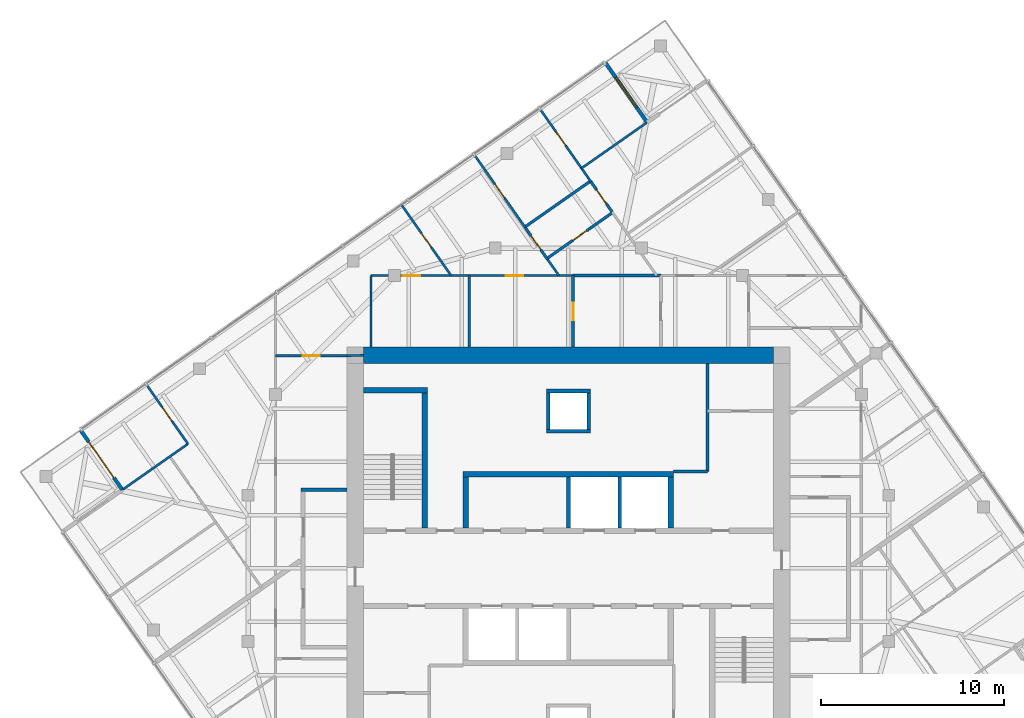
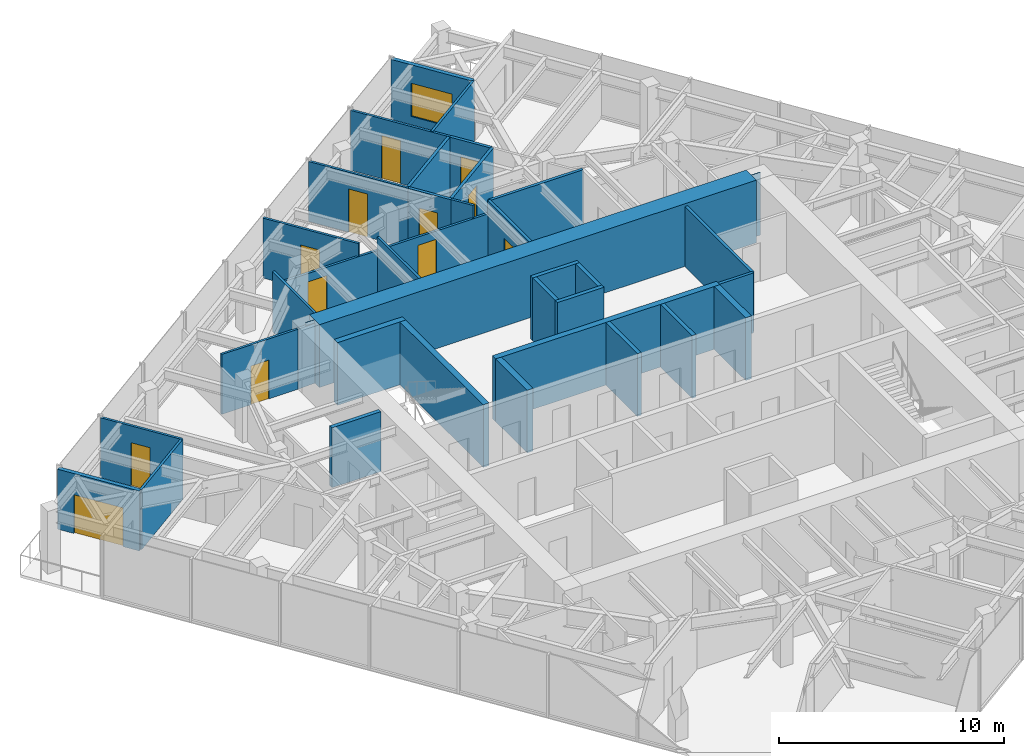
# One storey, part 10 of 12: 35 walls, 12 doors, 1 window, 13 openings.
"""IFC4 building model written with IfcOpenShell, lengths in metres."""

from ifc_helpers import new_model, si_unit, direction, frame, frame_2d, origin, place, context, subcontext, project, spatial, polyline, rectangle, outline, extrude, material, layer, layer_set, type_object, element, fill, save


model = new_model("IFC4")

# Units and contexts
model_context = context("Model", 3, precision=1e-05, world=origin(), true_north=direction((0.0, 1.0)))
body_context = subcontext(model_context, "Body", "Model", "MODEL_VIEW")
ifc_project = project(units=[si_unit("LENGTHUNIT", "METRE"), si_unit("AREAUNIT", "SQUARE_METRE"), si_unit("VOLUMEUNIT", "CUBIC_METRE"), si_unit("PLANEANGLEUNIT", "RADIAN"), si_unit("MASSUNIT", "GRAM", prefix="KILO")], contexts=[model_context])

# Site, building, storey
site_placement = place(None, origin())
site = spatial("IfcSite", under=ifc_project, at=site_placement, CompositionType="ELEMENT")
building_placement = place(site_placement, origin())
building = spatial("IfcBuilding", under=site, at=building_placement, Name="Torsade Residences", CompositionType="ELEMENT")
storey_placement = place(building_placement, frame((0.0, 0.0, 250.60009765625)))
storey = spatial("IfcBuildingStorey", under=building, at=storey_placement, Name="L69", CompositionType="ELEMENT", Elevation=250.60009765625)

# Walls
ifc_material_1 = material(Name="Concrete 80 MPa", Category="concrete")
ifc_layer_1 = layer(ifc_material_1, 0.300048828125)
ifc_layer_set_1 = layer_set([ifc_layer_1], Name="Concrete 80 MPa")
wall_type_1 = type_object("IfcWallType", Name="CORE INTERNAL WALL 300", PredefinedType="SHEAR", material=ifc_layer_set_1)
wall_1_placement = place(storey_placement, frame((34.25, 35.14990234375, 0.0), z_axis=(0.0, 0.0, 1.0), x_axis=(1.0, 0.0, 0.0)))
element("IfcWall", 1, at=wall_1_placement, inside=storey, type_object=wall_type_1, Name="Core wall BN L69", PredefinedType="SHEAR", context=body_context, shape_type="SweptSolid", body=[
    extrude(rectangle(XDim=11.5, YDim=0.300048828125, at=frame_2d((5.75, 0.0))), origin(), (0.0, 0.0, 1.0), 3.39990234375),
])
for number, where, z_axis, x_axis, name in (
    (2, (34.39990234375, 32.199951171875, 0.0), (0.0, 0.0, 1.0), (0.0, 1.0, 0.0), "Core wall DN0 L69"),
    (3, (45.60009765625, 32.199951171875, 0.0), (0.0, 0.0, 1.0), (0.0, 1.0, 0.0), "Core wall DN4 L69"),
):
    element("IfcWall", number, at=place(storey_placement, frame(where, z_axis=z_axis, x_axis=x_axis)), inside=storey, type_object=wall_type_1, Name=name, PredefinedType="SHEAR", context=body_context, shape_type="SweptSolid", body=[
        extrude(rectangle(XDim=2.800048828125, YDim=0.300048828125, at=frame_2d((1.39990234375, 0.0))), origin(), (0.0, 0.0, 1.0), 3.39990234375),
    ])
wall_2_placement = place(storey_placement, frame((32.14990234375, 32.199951171875, 0.0), z_axis=(0.0, 0.0, 1.0), x_axis=(0.0, 1.0, 0.0)))
element("IfcWall", 4, at=wall_2_placement, inside=storey, type_object=wall_type_1, Name="Core wall ST1E L69", PredefinedType="SHEAR", context=body_context, shape_type="SweptSolid", body=[
    extrude(rectangle(XDim=7.699951171875, YDim=0.300048828125, at=frame_2d((3.85009765625, 0.0))), origin(), (0.0, 0.0, 1.0), 3.39990234375),
])
wall_3_placement = place(storey_placement, frame((28.800048828125, 39.75, 0.0), z_axis=(0.0, 0.0, 1.0), x_axis=(1.0, 0.0, 0.0)))
element("IfcWall", 5, at=wall_3_placement, inside=storey, type_object=wall_type_1, Name="Core wall ST1N L69", PredefinedType="SHEAR", context=body_context, shape_type="SweptSolid", body=[
    extrude(rectangle(XDim=3.5, YDim=0.300048828125, at=frame_2d((1.75, 0.0))), origin(), (0.0, 0.0, 1.0), 3.39990234375),
])
ifc_material_2 = material(Name="Concrete 80 MPa", Category="concrete")
ifc_layer_2 = layer(ifc_material_2, 0.89990234375)
ifc_layer_set_2 = layer_set([ifc_layer_2], Name="Concrete 80 MPa")
wall_type_2 = type_object("IfcWallType", Name="CORE WALL 900", PredefinedType="SHEAR", material=ifc_layer_set_2)
wall_4_placement = place(storey_placement, frame((28.800048828125, 41.64990234375, 0.0), z_axis=(0.0, 0.0, 1.0), x_axis=(1.0, 0.0, 0.0)))
element("IfcWall", 6, at=wall_4_placement, inside=storey, type_object=wall_type_2, Name="Core wall N L69", PredefinedType="SHEAR", context=body_context, shape_type="SweptSolid", body=[
    extrude(outline(polyline([(0.0, -0.449951171875), (22.39990234375, -0.449951171875), (22.39990234375, -0.02490234375), (22.849853515625, -0.02490234375), (22.849853515625, 0.02490234375), (22.39990234375, 0.02490234375), (22.39990234375, 0.449951171875), (0.0, 0.449951171875), (0.0, 0.02490234375), (-0.449951171875, 0.02490234375), (-0.449951171875, -0.02490234375), (0.0, -0.02490234375), (0.0, -0.449951171875)])), origin(), (0.0, 0.0, 1.0), 3.39990234375),
])
ifc_material_3 = material(Name="Plasterboard on steel stud", Category="steel")
ifc_layer_3 = layer(ifc_material_3, 0.199951171875)
ifc_layer_set_3 = layer_set([ifc_layer_3], Name="Plasterboard on steel stud")
wall_type_3 = type_object("IfcWallType", Name="CORRIDOR WALL 200", PredefinedType="PARTITIONING", material=ifc_layer_set_3)
wall_5_placement = place(storey_placement, frame((27.89990234375, 34.300048828125, 0.0), z_axis=(0.0, 0.0, 1.0), x_axis=(-1.0, 0.0, 0.0)))
element("IfcWall", 7, at=wall_5_placement, inside=storey, type_object=wall_type_3, Name="Corridor wall L69", PredefinedType="PARTITIONING", context=body_context, shape_type="SweptSolid", body=[
    extrude(rectangle(XDim=2.5, YDim=0.199951171875, at=frame_2d((1.25, 0.0))), origin(), (0.0, 0.0, 1.0), 3.25),
])
ifc_material_4 = material(Name="Reinforced blockwork", Category="masonry")
ifc_layer_4 = layer(ifc_material_4, 0.199951171875)
ifc_layer_set_4 = layer_set([ifc_layer_4], Name="Reinforced blockwork")
wall_type_4 = type_object("IfcWallType", Name="LIFT SHAFT DIVIDING WALL 200", PredefinedType="SOLIDWALL", material=ifc_layer_set_4)
for number, where, z_axis, x_axis, name in (
    (8, (40.0, 32.199951171875, 0.0), (0.0, 0.0, 1.0), (0.0, 1.0, 0.0), "Core wall DN2 L69"),
    (9, (42.800048828125, 32.199951171875, 0.0), (0.0, 0.0, 1.0), (0.0, 1.0, 0.0), "Core wall DN3 L69"),
):
    element("IfcWall", number, at=place(storey_placement, frame(where, z_axis=z_axis, x_axis=x_axis)), inside=storey, type_object=wall_type_4, Name=name, PredefinedType="SOLIDWALL", context=body_context, shape_type="SweptSolid", body=[
        extrude(rectangle(XDim=2.800048828125, YDim=0.199951171875, at=frame_2d((1.39990234375, 0.0))), origin(), (0.0, 0.0, 1.0), 3.39990234375),
    ])

# Wall, opening, door
ifc_material_5 = material(Name="Plasterboard on steel stud", Category="steel")
ifc_layer_5 = layer(ifc_material_5, 0.1201171875)
ifc_layer_set_5 = layer_set([ifc_layer_5], Name="Plasterboard on steel stud")
wall_type_5 = type_object("IfcWallType", Name="PARTITION 120", PredefinedType="PARTITIONING", material=ifc_layer_set_5)
wall_6_placement = place(storey_placement, frame((24.0, 41.61865234375, 0.0), z_axis=(0.0, 0.0, 1.0), x_axis=(1.0, 0.0, 0.0)))
wall_6 = element("IfcWall", 10, at=wall_6_placement, inside=storey, type_object=wall_type_5, Name="Partition L69", PredefinedType="PARTITIONING", context=body_context, shape_type="SweptSolid", body=[
    extrude(rectangle(XDim=3.89990234375, YDim=0.1201171875, at=frame_2d((1.949951171875, 0.0))), origin(), (0.0, 0.0, 1.0), 3.25),
])
opening_1_placement = place(wall_6_placement, frame((1.489990234375, 0.0, 0.0)))
opening_1 = element("IfcOpeningElement", 11, at=opening_1_placement, cuts=wall_6, Name="Opening D02L", PredefinedType="OPENING", context=body_context, shape_type="SweptSolid", body=[
    extrude(rectangle(XDim=0.919921875, YDim=2.10009765625, at=frame_2d((0.4599609375, 1.050048828125))), frame((0.0, 0.070068359375, 0.0), z_axis=(0.0, -1.0, 0.0), x_axis=(1.0, 0.0, 0.0)), (0.0, 0.0, 1.0), 0.14013671875),
])
ifc_material_6 = material(Name="Hollow-core timber door", Category="wood")
door_type_1 = type_object("IfcDoorType", Name="INTERNAL DOOR 920x2100", OperationType="NOTDEFINED", PredefinedType="DOOR", material=ifc_material_6)
door_1_placement = place(opening_1_placement, origin())
door_1 = element("IfcDoor", 12, at=door_1_placement, inside=storey, type_object=door_type_1, Name="Door Kitchen and dining to Dining room", OperationType="SINGLE_SWING_LEFT", OverallHeight=2.10009765625, OverallWidth=0.919921875, PredefinedType="DOOR", context=body_context, shape_type="SweptSolid", body=[
    extrude(rectangle(XDim=0.919921875, YDim=2.10009765625, at=frame_2d((0.4599609375, 1.050048828125))), frame((0.0, 0.02490234375, 0.0), z_axis=(0.0, -1.0, 0.0), x_axis=(1.0, 0.0, 0.0)), (0.0, 0.0, 1.0), 0.050048828125),
])
fill(opening_1, door_1)

# Wall
wall_7_placement = place(storey_placement, frame((34.583251953125, 46.0, 0.0), z_axis=(0.0, 0.0, 1.0), x_axis=(0.0, -1.0, 0.0)))
element("IfcWall", 13, at=wall_7_placement, inside=storey, type_object=wall_type_5, Name="Partition L69", PredefinedType="PARTITIONING", context=body_context, shape_type="SweptSolid", body=[
    extrude(rectangle(XDim=3.89990234375, YDim=0.1201171875, at=frame_2d((1.949951171875, 0.0))), origin(), (0.0, 0.0, 1.0), 3.25),
])

# Wall, openings, doors
wall_8_placement = place(storey_placement, frame((29.218505859375, 46.0, 0.0), z_axis=(0.0, 0.0, 1.0), x_axis=(1.0, 0.0, 0.0)))
wall_8 = element("IfcWall", 14, at=wall_8_placement, inside=storey, type_object=wall_type_5, Name="Partition L69", PredefinedType="PARTITIONING", context=body_context, shape_type="SweptSolid", body=[
    extrude(rectangle(XDim=11.0341796875, YDim=0.1201171875, at=frame_2d((5.51708984375, 0.0))), origin(), (0.0, 0.0, 1.0), 2.5498046875),
])
opening_2_placement = place(wall_8_placement, frame((1.7353515625, 0.0, 0.0)))
opening_2 = element("IfcOpeningElement", 15, at=opening_2_placement, cuts=wall_8, Name="Opening D05", PredefinedType="OPENING", context=body_context, shape_type="SweptSolid", body=[
    extrude(rectangle(XDim=0.9599609375, YDim=2.10009765625, at=frame_2d((0.47998046875, 1.050048828125))), frame((0.0, 0.070068359375, 0.0), z_axis=(0.0, -1.0, 0.0), x_axis=(1.0, 0.0, 0.0)), (0.0, 0.0, 1.0), 0.14013671875),
])
opening_3_placement = place(wall_8_placement, frame((7.363037109375, 0.0, 0.0)))
opening_3 = element("IfcOpeningElement", 16, at=opening_3_placement, cuts=wall_8, Name="Opening D05", PredefinedType="OPENING", context=body_context, shape_type="SweptSolid", body=[
    extrude(rectangle(XDim=0.9599609375, YDim=2.10009765625, at=frame_2d((0.47998046875, 1.050048828125))), frame((0.0, 0.070068359375, 0.0), z_axis=(0.0, -1.0, 0.0), x_axis=(1.0, 0.0, 0.0)), (0.0, 0.0, 1.0), 0.14013671875),
])
ifc_material_7 = material(Name="Hollow-core timber door in a steel cavity frame", Category="steel")
door_type_2 = type_object("IfcDoorType", Name="BATHROOM CAVITY SLIDING DOOR 960", OperationType="SLIDING_TO_LEFT", PredefinedType="DOOR", material=ifc_material_7)
door_2_placement = place(opening_2_placement, origin())
door_2 = element("IfcDoor", 17, at=door_2_placement, inside=storey, type_object=door_type_2, Name="Door Dining room to Bathroom", OperationType="SLIDING_TO_LEFT", OverallHeight=2.10009765625, OverallWidth=0.9599609375, PredefinedType="DOOR", context=body_context, shape_type="SweptSolid", body=[
    extrude(rectangle(XDim=0.9599609375, YDim=2.10009765625, at=frame_2d((0.47998046875, 1.050048828125))), frame((0.0, 0.02490234375, 0.0), z_axis=(0.0, -1.0, 0.0), x_axis=(1.0, 0.0, 0.0)), (0.0, 0.0, 1.0), 0.050048828125),
])
fill(opening_2, door_2)
door_3_placement = place(opening_3_placement, origin())
door_3 = element("IfcDoor", 18, at=door_3_placement, inside=storey, type_object=door_type_2, Name="Door Study 2 to Ensuite", OperationType="SLIDING_TO_LEFT", OverallHeight=2.10009765625, OverallWidth=0.9599609375, PredefinedType="DOOR", context=body_context, shape_type="SweptSolid", body=[
    extrude(rectangle(XDim=0.9599609375, YDim=2.10009765625, at=frame_2d((0.47998046875, 1.050048828125))), frame((0.0, 0.02490234375, 0.0), z_axis=(0.0, -1.0, 0.0), x_axis=(1.0, 0.0, 0.0)), (0.0, 0.0, 1.0), 0.050048828125),
])
fill(opening_3, door_3)

# Walls
wall_9_placement = place(storey_placement, frame((29.218505859375, 42.10009765625, 0.0), z_axis=(0.0, 0.0, 1.0), x_axis=(0.0, 1.0, 0.0)))
element("IfcWall", 19, at=wall_9_placement, inside=storey, type_object=wall_type_5, Name="Partition L69", PredefinedType="PARTITIONING", context=body_context, shape_type="SweptSolid", body=[
    extrude(rectangle(XDim=3.89990234375, YDim=0.1201171875, at=frame_2d((1.949951171875, 0.0))), origin(), (0.0, 0.0, 1.0), 3.25),
])
wall_10_placement = place(storey_placement, frame((15.659912109375, 34.320556640625, 0.0), z_axis=(0.0, 0.0, 1.0), x_axis=(0.819139307094, 0.573594626521, 0.0)))
element("IfcWall", 20, at=wall_10_placement, inside=storey, type_object=wall_type_5, Name="Partition L69", PredefinedType="PARTITIONING", context=body_context, shape_type="SweptSolid", body=[
    extrude(rectangle(XDim=4.3349609375, YDim=0.1201171875, at=frame_2d((2.16748046875, 0.0))), origin(), (0.0, 0.0, 1.0), 3.25),
])

# Wall, opening, door
wall_11_placement = place(storey_placement, frame((19.2109375, 36.80712890625, 0.0), z_axis=(0.0, 0.0, 1.0), x_axis=(-0.573578200724, 0.819150808859, 0.0)))
wall_11 = element("IfcWall", 21, at=wall_11_placement, inside=storey, type_object=wall_type_5, Name="Partition L69", PredefinedType="PARTITIONING", context=body_context, shape_type="SweptSolid", body=[
    extrude(rectangle(XDim=3.959716796875, YDim=0.1201171875, at=frame_2d((1.97998046875, 0.0))), origin(), (0.0, 0.0, 1.0), 3.25),
])
opening_4_placement = place(wall_11_placement, frame((1.5400390625, 0.0, 0.0)))
opening_4 = element("IfcOpeningElement", 22, at=opening_4_placement, cuts=wall_11, Name="Opening D02", PredefinedType="OPENING", context=body_context, shape_type="SweptSolid", body=[
    extrude(rectangle(XDim=0.919921875, YDim=2.340087890625, at=frame_2d((0.4599609375, 1.169921875))), frame((0.0, 0.070068359375, 0.0), z_axis=(0.0, -1.0, 0.0), x_axis=(1.0, 0.0, 0.0)), (0.0, 0.0, 1.0), 0.14013671875),
])
ifc_material_8 = material(Name="Hollow-core timber door", Category="wood")
door_type_3 = type_object("IfcDoorType", Name="INTERNAL DOOR 920x2340", OperationType="NOTDEFINED", PredefinedType="DOOR", material=ifc_material_8)
door_4_placement = place(opening_4_placement, origin())
door_4 = element("IfcDoor", 23, at=door_4_placement, inside=storey, type_object=door_type_3, Name="Door Living room to Family room 2", OperationType="SINGLE_SWING_LEFT", OverallHeight=2.340087890625, OverallWidth=0.919921875, PredefinedType="DOOR", context=body_context, shape_type="SweptSolid", body=[
    extrude(rectangle(XDim=0.919921875, YDim=2.340087890625, at=frame_2d((0.4599609375, 1.169921875))), frame((0.0, 0.02490234375, 0.0), z_axis=(0.0, -1.0, 0.0), x_axis=(1.0, 0.0, 0.0)), (0.0, 0.0, 1.0), 0.050048828125),
])
fill(opening_4, door_4)

wall_12_placement = place(storey_placement, frame((41.232177734375, 51.123046875, 0.0), z_axis=(0.0, 0.0, 1.0), x_axis=(-0.573586984922, 0.819144657999, 0.0)))
wall_12 = element("IfcWall", 24, at=wall_12_placement, inside=storey, type_object=wall_type_5, Name="Partition L69", PredefinedType="PARTITIONING", context=body_context, shape_type="SweptSolid", body=[
    extrude(rectangle(XDim=4.86376953125, YDim=0.1201171875, at=frame_2d((2.431884765625, 0.0))), origin(), (0.0, 0.0, 1.0), 3.25),
])
opening_5_placement = place(wall_12_placement, frame((2.418701171875, 0.0, 0.0)))
opening_5 = element("IfcOpeningElement", 25, at=opening_5_placement, cuts=wall_12, Name="Opening D02", PredefinedType="OPENING", context=body_context, shape_type="SweptSolid", body=[
    extrude(rectangle(XDim=0.919921875, YDim=2.340087890625, at=frame_2d((0.4599609375, 1.169921875))), frame((0.0, 0.070068359375, 0.0), z_axis=(0.0, -1.0, 0.0), x_axis=(1.0, 0.0, 0.0)), (0.0, 0.0, 1.0), 0.14013671875),
])
door_5_placement = place(opening_5_placement, origin())
door_5 = element("IfcDoor", 26, at=door_5_placement, inside=storey, type_object=door_type_3, Name="Door Family room to Study 3", OperationType="SINGLE_SWING_LEFT", OverallHeight=2.340087890625, OverallWidth=0.919921875, PredefinedType="DOOR", context=body_context, shape_type="SweptSolid", body=[
    extrude(rectangle(XDim=0.919921875, YDim=2.340087890625, at=frame_2d((0.4599609375, 1.169921875))), frame((0.0, 0.02490234375, 0.0), z_axis=(0.0, -1.0, 0.0), x_axis=(1.0, 0.0, 0.0)), (0.0, 0.0, 1.0), 0.050048828125),
])
fill(opening_5, door_5)

# Wall
wall_13_placement = place(storey_placement, frame((40.7138671875, 51.86328125, 0.0), z_axis=(0.0, 0.0, 1.0), x_axis=(0.819139307094, 0.573594626521, 0.0)))
element("IfcWall", 27, at=wall_13_placement, inside=storey, type_object=wall_type_5, Name="Partition L69", PredefinedType="PARTITIONING", context=body_context, shape_type="SweptSolid", body=[
    extrude(rectangle(XDim=4.3349609375, YDim=0.1201171875, at=frame_2d((2.16748046875, 0.0))), origin(), (0.0, 0.0, 1.0), 3.25),
])

# Wall, opening, door
wall_14_placement = place(storey_placement, frame((34.858642578125, 52.597900390625, 0.0), z_axis=(0.0, 0.0, 1.0), x_axis=(0.573586984922, -0.819144657999, 0.0)))
wall_14 = element("IfcWall", 28, at=wall_14_placement, inside=storey, type_object=wall_type_5, Name="Partition L69", PredefinedType="PARTITIONING", context=body_context, shape_type="SweptSolid", body=[
    extrude(rectangle(XDim=4.86376953125, YDim=0.1201171875, at=frame_2d((2.431884765625, 0.0))), origin(), (0.0, 0.0, 1.0), 3.25),
])
opening_6_placement = place(wall_14_placement, frame((1.951904296875, 0.0, 0.0)))
opening_6 = element("IfcOpeningElement", 29, at=opening_6_placement, cuts=wall_14, Name="Opening D02", PredefinedType="OPENING", context=body_context, shape_type="SweptSolid", body=[
    extrude(rectangle(XDim=0.919921875, YDim=2.340087890625, at=frame_2d((0.4599609375, 1.169921875))), frame((0.0, 0.070068359375, 0.0), z_axis=(0.0, -1.0, 0.0), x_axis=(1.0, 0.0, 0.0)), (0.0, 0.0, 1.0), 0.14013671875),
])
door_6_placement = place(opening_6_placement, origin())
door_6 = element("IfcDoor", 30, at=door_6_placement, inside=storey, type_object=door_type_3, Name="Door Study 2 to Family room", OperationType="SINGLE_SWING_RIGHT", OverallHeight=2.340087890625, OverallWidth=0.919921875, PredefinedType="DOOR", context=body_context, shape_type="SweptSolid", body=[
    extrude(rectangle(XDim=0.919921875, YDim=2.340087890625, at=frame_2d((0.4599609375, 1.169921875))), frame((0.0, 0.02490234375, 0.0), z_axis=(0.0, -1.0, 0.0), x_axis=(1.0, 0.0, 0.0)), (0.0, 0.0, 1.0), 0.050048828125),
])
fill(opening_6, door_6)

# Wall
wall_15_placement = place(storey_placement, frame((38.853515625, 46.892333984375, 0.0), z_axis=(0.0, 0.0, 1.0), x_axis=(0.57368792347, -0.81907396886, 0.0)))
element("IfcWall", 31, at=wall_15_placement, inside=storey, type_object=wall_type_5, Name="Partition L69", PredefinedType="PARTITIONING", context=body_context, shape_type="SweptSolid", body=[
    extrude(rectangle(XDim=1.08935546875, YDim=0.1201171875, at=frame_2d((0.544677734375, 0.0))), origin(), (0.0, 0.0, 1.0), 3.25),
])

# Wall, opening, door
wall_16_placement = place(storey_placement, frame((33.588134765625, 46.0, 0.0), z_axis=(0.0, 0.0, 1.0), x_axis=(-0.57355695423, 0.819165685472, 0.0)))
wall_16 = element("IfcWall", 32, at=wall_16_placement, inside=storey, type_object=wall_type_5, Name="Partition L69", PredefinedType="PARTITIONING", context=body_context, shape_type="SweptSolid", body=[
    extrude(rectangle(XDim=4.67578125, YDim=0.1201171875, at=frame_2d((2.337890625, 0.0))), origin(), (0.0, 0.0, 1.0), 3.25),
])
opening_7_placement = place(wall_16_placement, frame((1.89794921875, 0.0, 0.0)))
opening_7 = element("IfcOpeningElement", 33, at=opening_7_placement, cuts=wall_16, Name="Opening D02", PredefinedType="OPENING", context=body_context, shape_type="SweptSolid", body=[
    extrude(rectangle(XDim=0.919921875, YDim=2.340087890625, at=frame_2d((0.4599609375, 1.169921875))), frame((0.0, 0.070068359375, 0.0), z_axis=(0.0, -1.0, 0.0), x_axis=(1.0, 0.0, 0.0)), (0.0, 0.0, 1.0), 0.14013671875),
])
door_7_placement = place(opening_7_placement, origin())
door_7 = element("IfcDoor", 34, at=door_7_placement, inside=storey, type_object=door_type_3, Name="Door Dining room to Study 2", OperationType="SINGLE_SWING_LEFT", OverallHeight=2.340087890625, OverallWidth=0.919921875, PredefinedType="DOOR", context=body_context, shape_type="SweptSolid", body=[
    extrude(rectangle(XDim=0.919921875, YDim=2.340087890625, at=frame_2d((0.4599609375, 1.169921875))), frame((0.0, 0.02490234375, 0.0), z_axis=(0.0, -1.0, 0.0), x_axis=(1.0, 0.0, 0.0)), (0.0, 0.0, 1.0), 0.050048828125),
])
fill(opening_7, door_7)

# Walls
wall_17_placement = place(storey_placement, frame((27.89990234375, 41.61865234375, 0.0), z_axis=(0.0, 0.0, 1.0), x_axis=(0.999397924003, 0.034695669724, 0.0)))
element("IfcWall", 35, at=wall_17_placement, inside=storey, type_object=wall_type_5, Name="Partition L69", PredefinedType="PARTITIONING", context=body_context, shape_type="SweptSolid", body=[
    extrude(rectangle(XDim=0.900634765625, YDim=0.1201171875, at=frame_2d((0.4501953125, 0.0))), origin(), (0.0, 0.0, 1.0), 3.25),
])
ifc_material_9 = material(Name="Reinforced blockwork", Category="masonry")
ifc_layer_6 = layer(ifc_material_9, 0.199951171875)
ifc_layer_set_6 = layer_set([ifc_layer_6], Name="Reinforced blockwork")
wall_type_6 = type_object("IfcWallType", Name="RISER SHAFT WALL 200", PredefinedType="SOLIDWALL", material=ifc_layer_set_6)
for number, where, z_axis, x_axis, name in (
    (36, (38.89990234375, 37.60009765625, 0.0), (0.0, 0.0, 1.0), (0.0, 1.0, 0.0), "Core wall RS1a L69"),
    (37, (41.10009765625, 37.60009765625, 0.0), (0.0, 0.0, 1.0), (0.0, 1.0, 0.0), "Core wall RS1b L69"),
):
    element("IfcWall", number, at=place(storey_placement, frame(where, z_axis=z_axis, x_axis=x_axis)), inside=storey, type_object=wall_type_6, Name=name, PredefinedType="SOLIDWALL", context=body_context, shape_type="SweptSolid", body=[
        extrude(rectangle(XDim=2.0, YDim=0.199951171875, at=frame_2d((1.0, 0.0))), origin(), (0.0, 0.0, 1.0), 3.39990234375),
    ])
for number, where, z_axis, x_axis, name in (
    (38, (38.800048828125, 37.5, 0.0), (0.0, 0.0, 1.0), (1.0, 0.0, 0.0), "Core wall RS1c L69"),
    (39, (38.800048828125, 39.699951171875, 0.0), (0.0, 0.0, 1.0), (1.0, 0.0, 0.0), "Core wall RS1d L69"),
):
    element("IfcWall", number, at=place(storey_placement, frame(where, z_axis=z_axis, x_axis=x_axis)), inside=storey, type_object=wall_type_6, Name=name, PredefinedType="SOLIDWALL", context=body_context, shape_type="SweptSolid", body=[
        extrude(rectangle(XDim=2.39990234375, YDim=0.199951171875, at=frame_2d((1.199951171875, 0.0))), origin(), (0.0, 0.0, 1.0), 3.39990234375),
    ])
ifc_material_10 = material(Name="Reinforced blockwork", Category="masonry")
ifc_layer_7 = layer(ifc_material_10, 0.14990234375)
ifc_layer_set_7 = layer_set([ifc_layer_7], Name="Reinforced blockwork")
wall_type_7 = type_object("IfcWallType", Name="SERVICE ROOM WALL 150", PredefinedType="SOLIDWALL", material=ifc_layer_set_7)
wall_18_placement = place(storey_placement, frame((47.60009765625, 41.199951171875, 0.0), z_axis=(0.0, 0.0, 1.0), x_axis=(0.0, -1.0, 0.0)))
element("IfcWall", 40, at=wall_18_placement, inside=storey, type_object=wall_type_7, Name="Service room wall L69", PredefinedType="SOLIDWALL", context=body_context, shape_type="SweptSolid", body=[
    extrude(rectangle(XDim=5.89990234375, YDim=0.14990234375, at=frame_2d((2.949951171875, 0.0))), origin(), (0.0, 0.0, 1.0), 3.25),
])
wall_19_placement = place(storey_placement, frame((47.60009765625, 35.300048828125, 0.0), z_axis=(0.0, 0.0, 1.0), x_axis=(-1.0, 0.0, 0.0)))
element("IfcWall", 41, at=wall_19_placement, inside=storey, type_object=wall_type_7, Name="Service room wall L69", PredefinedType="SOLIDWALL", context=body_context, shape_type="SweptSolid", body=[
    extrude(rectangle(XDim=1.85009765625, YDim=0.14990234375, at=frame_2d((0.925048828125, 0.0))), origin(), (0.0, 0.0, 1.0), 3.25),
])

# Wall, opening, door
wall_20_placement = place(storey_placement, frame((40.252685546875, 46.0, 0.0), z_axis=(0.0, 0.0, 1.0), x_axis=(0.0, -1.0, 0.0)))
wall_20 = element("IfcWall", 42, at=wall_20_placement, inside=storey, type_object=wall_type_7, Name="Service room wall L69", PredefinedType="SOLIDWALL", context=body_context, shape_type="SweptSolid", body=[
    extrude(rectangle(XDim=3.89990234375, YDim=0.14990234375, at=frame_2d((1.949951171875, 0.0))), origin(), (0.0, 0.0, 1.0), 3.25),
])
opening_8_placement = place(wall_20_placement, frame((1.469970703125, 0.0, 0.0)))
opening_8 = element("IfcOpeningElement", 43, at=opening_8_placement, cuts=wall_20, Name="Opening D05", PredefinedType="OPENING", context=body_context, shape_type="SweptSolid", body=[
    extrude(rectangle(XDim=0.9599609375, YDim=2.10009765625, at=frame_2d((0.47998046875, 1.050048828125))), frame((0.0, 0.0849609375, 0.0), z_axis=(0.0, -1.0, 0.0), x_axis=(1.0, 0.0, 0.0)), (0.0, 0.0, 1.0), 0.169921875),
])
door_8_placement = place(opening_8_placement, origin())
door_8 = element("IfcDoor", 44, at=door_8_placement, inside=storey, type_object=door_type_2, Name="Door Ensuite to Linen store", OperationType="SLIDING_TO_LEFT", OverallHeight=2.10009765625, OverallWidth=0.9599609375, PredefinedType="DOOR", context=body_context, shape_type="SweptSolid", body=[
    extrude(rectangle(XDim=0.9599609375, YDim=2.10009765625, at=frame_2d((0.47998046875, 1.050048828125))), frame((0.0, 0.02490234375, 0.0), z_axis=(0.0, -1.0, 0.0), x_axis=(1.0, 0.0, 0.0)), (0.0, 0.0, 1.0), 0.050048828125),
])
fill(opening_8, door_8)

# Wall
wall_21_placement = place(storey_placement, frame((40.252685546875, 46.0, 0.0), z_axis=(0.0, 0.0, 1.0), x_axis=(1.0, 0.0, 0.0)))
element("IfcWall", 45, at=wall_21_placement, inside=storey, type_object=wall_type_7, Name="Service room wall L69", PredefinedType="SOLIDWALL", context=body_context, shape_type="SweptSolid", body=[
    extrude(rectangle(XDim=4.798583984375, YDim=0.14990234375, at=frame_2d((2.3994140625, 0.0))), origin(), (0.0, 0.0, 1.0), 3.25),
])

# Wall, opening, door
wall_22_placement = place(storey_placement, frame((42.380126953125, 49.483642578125, 0.0), z_axis=(0.0, 0.0, 1.0), x_axis=(-0.573585144111, 0.819145946981, 0.0)))
wall_22 = element("IfcWall", 46, at=wall_22_placement, inside=storey, type_object=wall_type_7, Name="Service room wall L69", PredefinedType="SOLIDWALL", context=body_context, shape_type="SweptSolid", body=[
    extrude(rectangle(XDim=2.00146484375, YDim=0.14990234375, at=frame_2d((1.000732421875, 0.0))), origin(), (0.0, 0.0, 1.0), 3.25),
])
opening_9_placement = place(wall_22_placement, frame((0.54052734375, 0.0, 0.0)))
opening_9 = element("IfcOpeningElement", 47, at=opening_9_placement, cuts=wall_22, Name="Opening D02", PredefinedType="OPENING", context=body_context, shape_type="SweptSolid", body=[
    extrude(rectangle(XDim=0.919921875, YDim=2.340087890625, at=frame_2d((0.4599609375, 1.169921875))), frame((0.0, 0.0849609375, 0.0), z_axis=(0.0, -1.0, 0.0), x_axis=(1.0, 0.0, 0.0)), (0.0, 0.0, 1.0), 0.169921875),
])
door_9_placement = place(opening_9_placement, origin())
door_9 = element("IfcDoor", 48, at=door_9_placement, inside=storey, type_object=door_type_3, Name="Door Linen store 4 to Bedroom 1", OperationType="SINGLE_SWING_RIGHT", OverallHeight=2.340087890625, OverallWidth=0.919921875, PredefinedType="DOOR", context=body_context, shape_type="SweptSolid", body=[
    extrude(rectangle(XDim=0.919921875, YDim=2.340087890625, at=frame_2d((0.4599609375, 1.169921875))), frame((0.0, 0.02490234375, 0.0), z_axis=(0.0, -1.0, 0.0), x_axis=(1.0, 0.0, 0.0)), (0.0, 0.0, 1.0), 0.050048828125),
])
fill(opening_9, door_9)

wall_23_placement = place(storey_placement, frame((37.6484375, 48.61376953125, 0.0), z_axis=(0.0, 0.0, 1.0), x_axis=(0.573485736943, -0.819215545216, 0.0)))
wall_23 = element("IfcWall", 49, at=wall_23_placement, inside=storey, type_object=wall_type_7, Name="Service room wall L69", PredefinedType="SOLIDWALL", context=body_context, shape_type="SweptSolid", body=[
    extrude(rectangle(XDim=2.101318359375, YDim=0.14990234375, at=frame_2d((1.05078125, 0.0))), origin(), (0.0, 0.0, 1.0), 3.25),
])
opening_10_placement = place(wall_23_placement, frame((0.540771484375, 0.0, 0.0)))
opening_10 = element("IfcOpeningElement", 50, at=opening_10_placement, cuts=wall_23, Name="Opening D02", PredefinedType="OPENING", context=body_context, shape_type="SweptSolid", body=[
    extrude(rectangle(XDim=0.919921875, YDim=2.340087890625, at=frame_2d((0.4599609375, 1.169921875))), frame((0.0, 0.0849609375, 0.0), z_axis=(0.0, -1.0, 0.0), x_axis=(1.0, 0.0, 0.0)), (0.0, 0.0, 1.0), 0.169921875),
])
door_10_placement = place(opening_10_placement, origin())
door_10 = element("IfcDoor", 51, at=door_10_placement, inside=storey, type_object=door_type_3, Name="Door Study 2 to Linen store 4", OperationType="SINGLE_SWING_RIGHT", OverallHeight=2.340087890625, OverallWidth=0.919921875, PredefinedType="DOOR", context=body_context, shape_type="SweptSolid", body=[
    extrude(rectangle(XDim=0.919921875, YDim=2.340087890625, at=frame_2d((0.4599609375, 1.169921875))), frame((0.0, 0.02490234375, 0.0), z_axis=(0.0, -1.0, 0.0), x_axis=(1.0, 0.0, 0.0)), (0.0, 0.0, 1.0), 0.050048828125),
])
fill(opening_10, door_10)

# Wall
wall_24_placement = place(storey_placement, frame((41.203369140625, 51.1640625, 0.0), z_axis=(0.0, 0.0, 1.0), x_axis=(-0.81916112811, -0.573563463091, 0.0)))
element("IfcWall", 52, at=wall_24_placement, inside=storey, type_object=wall_type_7, Name="Service room wall L69", PredefinedType="SOLIDWALL", context=body_context, shape_type="SweptSolid", body=[
    extrude(rectangle(XDim=4.375, YDim=0.14990234375, at=frame_2d((2.1875, 0.0))), origin(), (0.0, 0.0, 1.0), 3.25),
])

# Wall, opening, door
wall_25_placement = place(storey_placement, frame((38.824951171875, 46.933349609375, 0.0), z_axis=(0.0, 0.0, 1.0), x_axis=(0.81916112811, 0.573563463091, 0.0)))
wall_25 = element("IfcWall", 53, at=wall_25_placement, inside=storey, type_object=wall_type_7, Name="Service room wall L69", PredefinedType="SOLIDWALL", context=body_context, shape_type="SweptSolid", body=[
    extrude(rectangle(XDim=4.375, YDim=0.14990234375, at=frame_2d((2.1875, 0.0))), origin(), (0.0, 0.0, 1.0), 3.25),
])
opening_11_placement = place(wall_25_placement, frame((1.7275390625, 0.0, 0.0)))
opening_11 = element("IfcOpeningElement", 54, at=opening_11_placement, cuts=wall_25, Name="Opening D02", PredefinedType="OPENING", context=body_context, shape_type="SweptSolid", body=[
    extrude(rectangle(XDim=0.919921875, YDim=2.340087890625, at=frame_2d((0.4599609375, 1.169921875))), frame((0.0, 0.0849609375, 0.0), z_axis=(0.0, -1.0, 0.0), x_axis=(1.0, 0.0, 0.0)), (0.0, 0.0, 1.0), 0.169921875),
])
door_11_placement = place(opening_11_placement, origin())
door_11 = element("IfcDoor", 55, at=door_11_placement, inside=storey, type_object=door_type_3, Name="Door Linen store 4 to Walk-in robe", OperationType="SINGLE_SWING_LEFT", OverallHeight=2.340087890625, OverallWidth=0.919921875, PredefinedType="DOOR", context=body_context, shape_type="SweptSolid", body=[
    extrude(rectangle(XDim=0.919921875, YDim=2.340087890625, at=frame_2d((0.4599609375, 1.169921875))), frame((0.0, 0.02490234375, 0.0), z_axis=(0.0, -1.0, 0.0), x_axis=(1.0, 0.0, 0.0)), (0.0, 0.0, 1.0), 0.050048828125),
])
fill(opening_11, door_11)

# Wall, opening, window
ifc_material_11 = material(Name="Stone-faced precast concrete 40 MPa panel", Category="masonry")
ifc_layer_8 = layer(ifc_material_11, 0.199951171875)
ifc_layer_set_8 = layer_set([ifc_layer_8], Name="Stone-faced precast concrete 40 MPa panel")
wall_type_8 = type_object("IfcWallType", Name="TERRACE WALL 200", PredefinedType="SOLIDWALL", material=ifc_layer_set_8)
wall_26_placement = place(storey_placement, frame((44.297607421875, 54.372802734375, 0.0), z_axis=(0.0, 0.0, 1.0), x_axis=(-0.573597512525, 0.819137286189, 0.0)))
wall_26 = element("IfcWall", 56, at=wall_26_placement, inside=storey, type_object=wall_type_8, Name="Terrace wall L69 6", PredefinedType="SOLIDWALL", context=body_context, shape_type="SweptSolid", body=[
    extrude(rectangle(XDim=4.0, YDim=0.199951171875, at=frame_2d((2.0, 0.0))), origin(), (0.0, 0.0, 1.0), 3.25),
])
opening_12_placement = place(wall_26_placement, frame((1.0, 0.0, 0.449951171875)))
opening_12 = element("IfcOpeningElement", 57, at=opening_12_placement, cuts=wall_26, Name="Opening W1B", PredefinedType="OPENING", context=body_context, shape_type="SweptSolid", body=[
    extrude(rectangle(XDim=2.0, YDim=1.800048828125, at=frame_2d((1.0, 0.89990234375))), frame((0.0, 0.10986328125, 0.0), z_axis=(0.0, -1.0, 0.0), x_axis=(1.0, 0.0, 0.0)), (0.0, 0.0, 1.0), 0.219970703125),
])
ifc_material_12 = material(Name="Aluminium-framed glass window", Category="aluminium")
window_type = type_object("IfcWindowType", Name="TERRACE WINDOW 2000x1800", PartitioningType="SINGLE_PANEL", PredefinedType="WINDOW", material=ifc_material_12)
window_placement = place(opening_12_placement, origin())
window = element("IfcWindow", 58, at=window_placement, inside=storey, type_object=window_type, Name="Terrace window L69 6", OverallHeight=1.800048828125, OverallWidth=2.0, PartitioningType="SINGLE_PANEL", PredefinedType="WINDOW", context=body_context, shape_type="SweptSolid", body=[
    extrude(rectangle(XDim=2.0, YDim=1.800048828125, at=frame_2d((1.0, 0.89990234375))), frame((0.0, 0.030029296875, 0.0), z_axis=(0.0, -1.0, 0.0), x_axis=(1.0, 0.0, 0.0)), (0.0, 0.0, 1.0), 0.06005859375),
])
fill(opening_12, window)

# Wall, opening, door
wall_27_placement = place(storey_placement, frame((13.3330078125, 37.57421875, 0.0), z_axis=(0.0, 0.0, 1.0), x_axis=(0.573556557423, -0.819165963305, 0.0)))
wall_27 = element("IfcWall", 59, at=wall_27_placement, inside=storey, type_object=wall_type_8, Name="Terrace wall L69 8", PredefinedType="SOLIDWALL", context=body_context, shape_type="SweptSolid", body=[
    extrude(rectangle(XDim=4.0, YDim=0.199951171875, at=frame_2d((2.0, 0.0))), origin(), (0.0, 0.0, 1.0), 3.25),
])
opening_13_placement = place(wall_27_placement, frame((0.800048828125, 0.0, 0.0)))
opening_13 = element("IfcOpeningElement", 60, at=opening_13_placement, cuts=wall_27, Name="Opening D10A", PredefinedType="OPENING", context=body_context, shape_type="SweptSolid", body=[
    extrude(rectangle(XDim=2.39990234375, YDim=2.10009765625, at=frame_2d((1.199951171875, 1.050048828125))), frame((0.0, 0.10986328125, 0.0), z_axis=(0.0, -1.0, 0.0), x_axis=(1.0, 0.0, 0.0)), (0.0, 0.0, 1.0), 0.219970703125),
])
ifc_material_13 = material(Name="Aluminium-framed glass door", Category="aluminium")
door_type_4 = type_object("IfcDoorType", Name="TERRACE SLIDING DOOR 2400x2100", OperationType="SLIDING_TO_LEFT", PredefinedType="DOOR", material=ifc_material_13)
door_12_placement = place(opening_13_placement, origin())
door_12 = element("IfcDoor", 61, at=door_12_placement, inside=storey, type_object=door_type_4, Name="Terrace door L69 8", OperationType="SLIDING_TO_LEFT", OverallHeight=2.10009765625, OverallWidth=2.39990234375, PredefinedType="DOOR", context=body_context, shape_type="SweptSolid", body=[
    extrude(rectangle(XDim=2.39990234375, YDim=2.10009765625, at=frame_2d((1.199951171875, 1.050048828125))), frame((0.0, 0.02490234375, 0.0), z_axis=(0.0, -1.0, 0.0), x_axis=(1.0, 0.0, 0.0)), (0.0, 0.0, 1.0), 0.050048828125),
])
fill(opening_13, door_12)

save(model, "model.ifc")
